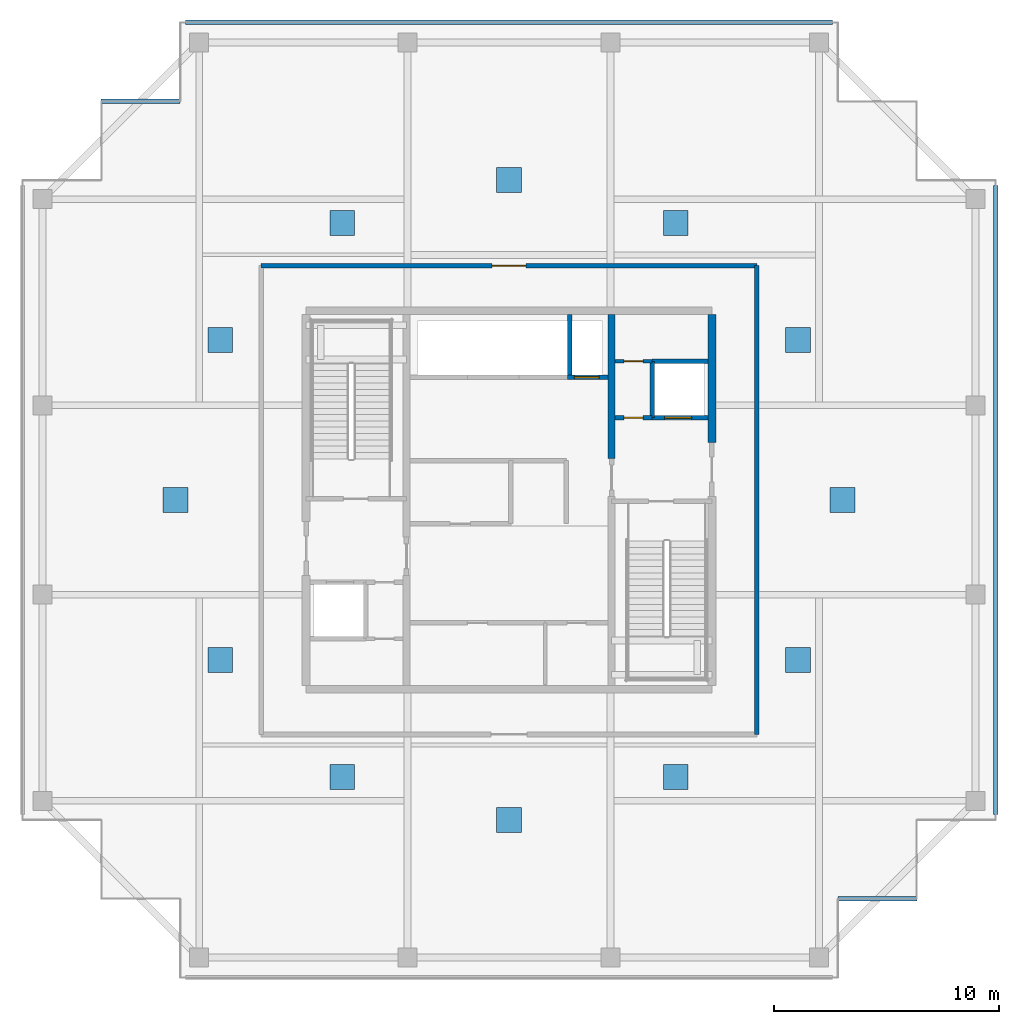
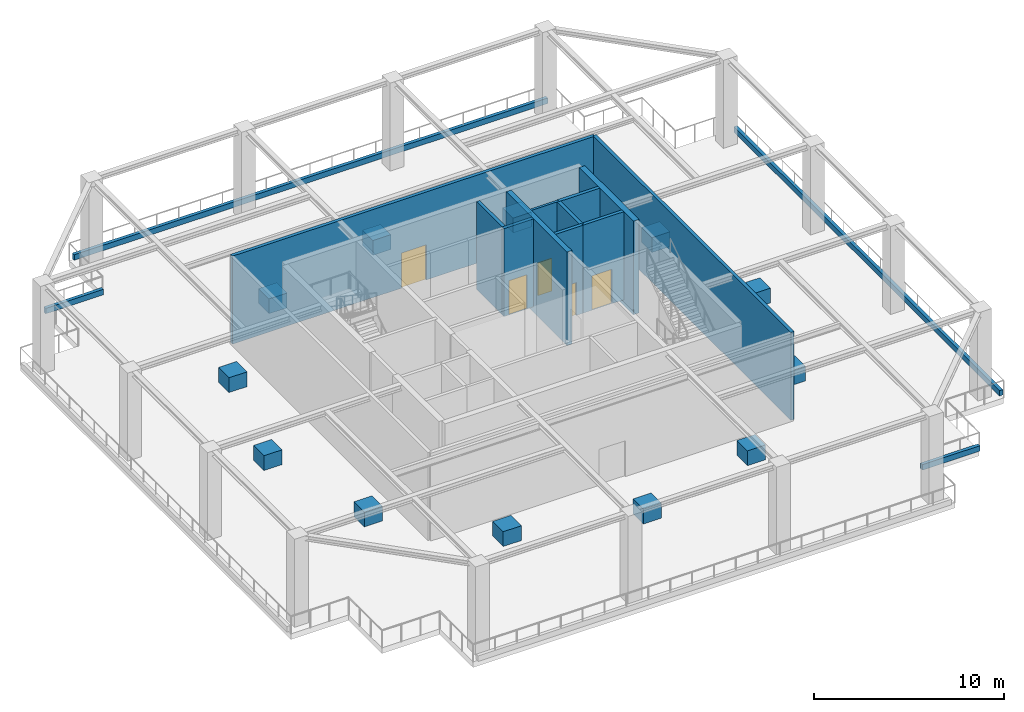
# One storey, part 3 of 10: 15 walls, 12 discrete accessories, 5 doors, 5 openings.
"""IFC4 building model written with IfcOpenShell, lengths in metres."""

from ifc_helpers import new_model, si_unit, direction, frame, frame_2d, origin, origin_2d, place, context, subcontext, project, spatial, rectangle, extrude, source, transform, mapped, material, layer, layer_set, type_object, element, fill, save


model = new_model("IFC4")

# Units and contexts
model_context = context("Model", 3, precision=1e-05, world=origin(), true_north=direction((0.0, 1.0)))
body_context = subcontext(model_context, "Body", "Model", "MODEL_VIEW")
ifc_project = project(units=[si_unit("LENGTHUNIT", "METRE"), si_unit("AREAUNIT", "SQUARE_METRE"), si_unit("VOLUMEUNIT", "CUBIC_METRE"), si_unit("PLANEANGLEUNIT", "RADIAN"), si_unit("MASSUNIT", "GRAM", prefix="KILO")], contexts=[model_context])

# Site, building, storey
site_placement = place(None, origin())
site = spatial("IfcSite", under=ifc_project, at=site_placement, CompositionType="ELEMENT")
building_placement = place(site_placement, origin())
building = spatial("IfcBuilding", under=site, at=building_placement, Name="Serunith Strait Residences", CompositionType="ELEMENT")
storey_placement = place(building_placement, frame((0.0, 0.0, 359.75)))
storey = spatial("IfcBuildingStorey", under=building, at=storey_placement, Name="L88", CompositionType="ELEMENT", Elevation=359.75)

# Walls
ifc_material_1 = material(Name="Concrete C50/60", Category="concrete")
ifc_layer_1 = layer(ifc_material_1, 0.199951171875, Name="Concrete C50/60")
ifc_layer_set_1 = layer_set([ifc_layer_1], Name="Concrete C50/60")
wall_type_1 = type_object("IfcWallType", Name="EW-PARAPET-200", PredefinedType="PARAPET", material=ifc_layer_set_1)
wall_1_placement = place(storey_placement, frame((54.0, 11.25, 0.0), z_axis=(0.0, 0.0, 1.0), x_axis=(0.0, 1.0, 0.0)))
element("IfcWall", 1, at=wall_1_placement, inside=storey, type_object=wall_type_1, Name="Sky-Garden Planter Curb Parapet 2", PredefinedType="PARAPET", context=body_context, shape_type="SweptSolid", body=[
    extrude(rectangle(XDim=27.89990234375, YDim=0.199951171875, at=frame_2d((13.949951171875, 0.0))), origin(), (0.0, 0.0, 1.0), 0.35009765625),
])
wall_2_placement = place(storey_placement, frame((46.75, 46.39990234375, 0.0), z_axis=(0.0, 0.0, 1.0), x_axis=(-1.0, 0.0, 0.0)))
element("IfcWall", 2, at=wall_2_placement, inside=storey, type_object=wall_type_1, Name="Sky-Garden Planter Curb Parapet 3", PredefinedType="PARAPET", context=body_context, shape_type="SweptSolid", body=[
    extrude(rectangle(XDim=28.699951171875, YDim=0.199951171875, at=frame_2d((14.35009765625, 0.0))), origin(), (0.0, 0.0, 1.0), 0.35009765625),
])
for number, where, z_axis, x_axis, name in (
    (3, (47.0, 7.5, 0.0), (0.0, 0.0, 1.0), (1.0, 0.0, 0.0), "Sky-Garden Planter Curb Parapet 5"),
    (4, (17.800048828125, 42.89990234375, 0.0), (0.0, 0.0, 1.0), (-1.0, 0.0, 0.0), "Sky-Garden Planter Curb Parapet 6"),
):
    element("IfcWall", number, at=place(storey_placement, frame(where, z_axis=z_axis, x_axis=x_axis)), inside=storey, type_object=wall_type_1, Name=name, PredefinedType="PARAPET", context=body_context, shape_type="SweptSolid", body=[
        extrude(rectangle(XDim=3.5, YDim=0.199951171875, at=frame_2d((1.75, 0.0))), origin(), (0.0, 0.0, 1.0), 0.35009765625),
    ])

# Wall, opening, door
ifc_material_2 = material(Name="Fire-rated masonry service closet wall", Category="masonry")
ifc_layer_2 = layer(ifc_material_2, 0.14990234375, Name="Fire-rated masonry service closet wall")
ifc_layer_set_2 = layer_set([ifc_layer_2], Name="Fire-rated masonry service closet wall")
wall_type_2 = type_object("IfcWallType", Name="IW-BOH-150", PredefinedType="PARTITIONING", material=ifc_layer_set_2)
wall_3_placement = place(storey_placement, frame((37.10009765625, 31.35009765625, 0.0), z_axis=(0.0, 0.0, 1.0), x_axis=(1.0, 0.0, 0.0)))
wall_3 = element("IfcWall", 5, at=wall_3_placement, inside=storey, type_object=wall_type_2, Name="L88 Partition Wall 012", PredefinedType="PARTITIONING", context=body_context, shape_type="SweptSolid", body=[
    extrude(rectangle(XDim=1.64794921875, YDim=0.14990234375, at=frame_2d((0.823974609375, 0.0))), origin(), (0.0, 0.0, 1.0), 5.639892578125),
])
opening_1_placement = place(wall_3_placement, frame((0.39892578125, 0.0, 0.0)))
opening_1 = element("IfcOpeningElement", 6, at=opening_1_placement, cuts=wall_3, Name="Opening FD-850", PredefinedType="OPENING", context=body_context, shape_type="SweptSolid", body=[
    extrude(rectangle(XDim=0.85009765625, YDim=2.10009765625, at=frame_2d((0.425048828125, 1.050048828125))), frame((0.0, 0.0849609375, 0.0), z_axis=(0.0, -1.0, 0.0), x_axis=(1.0, 0.0, 0.0)), (0.0, 0.0, 1.0), 0.169921875),
])
ifc_material_3 = material(Name="Powder-coated steel service closet door", Category="steel")
door_type_1 = type_object("IfcDoorType", Name="FD-BOH-850", OperationType="NOTDEFINED", PredefinedType="DOOR", material=ifc_material_3)
shared_shape_1 = source(origin(), body_context, "Body", "SweptSolid", [
    extrude(rectangle(XDim=0.85009765625, YDim=2.10009765625, at=frame_2d((0.425048828125, 1.050048828125))), frame((0.0, 0.02490234375, 0.0), z_axis=(0.0, -1.0, 0.0), x_axis=(1.0, 0.0, 0.0)), (0.0, 0.0, 1.0), 0.050048828125),
])
door_1_placement = place(opening_1_placement, origin())
door_1 = element("IfcDoor", 7, at=door_1_placement, inside=storey, type_object=door_type_1, Name="L88 Refuse Store Door", OperationType="SINGLE_SWING_LEFT", OverallHeight=2.10009765625, OverallWidth=0.85009765625, PredefinedType="DOOR", context=body_context, shape_type="MappedRepresentation", body=[
    mapped(shared_shape_1, transform((0.0, 0.0, 0.0), scale=1.0)),
])
fill(opening_1, door_1)

ifc_material_4 = material(Name="Autoclaved aerated concrete blockwork", Category="masonry")
ifc_layer_3 = layer(ifc_material_4, 0.199951171875, Name="Autoclaved aerated concrete blockwork")
ifc_layer_set_3 = layer_set([ifc_layer_3], Name="Autoclaved aerated concrete blockwork")
wall_type_3 = type_object("IfcWallType", Name="IW-SHAFT-200", PredefinedType="STANDARD", material=ifc_layer_set_3)
wall_4_placement = place(storey_placement, frame((38.75, 28.85009765625, 0.0), z_axis=(0.0, 0.0, 1.0), x_axis=(1.0, 0.0, 0.0)))
wall_4 = element("IfcWall", 8, at=wall_4_placement, inside=storey, type_object=wall_type_3, Name="L88 FL-2 South Shaft Wall", PredefinedType="STANDARD", context=body_context, shape_type="SweptSolid", body=[
    extrude(rectangle(XDim=2.47509765625, YDim=0.199951171875, at=frame_2d((1.237548828125, 0.0))), origin(), (0.0, 0.0, 1.0), 5.639892578125),
])
opening_2_placement = place(wall_4_placement, frame((0.550048828125, 0.0, 0.0)))
opening_2 = element("IfcOpeningElement", 9, at=opening_2_placement, cuts=wall_4, Name="Opening LD-FF1200", PredefinedType="OPENING", context=body_context, shape_type="SweptSolid", body=[
    extrude(rectangle(XDim=1.199951171875, YDim=2.199951171875, at=frame_2d((0.60009765625, 1.10009765625))), frame((0.0, 0.10986328125, 0.0), z_axis=(0.0, -1.0, 0.0), x_axis=(1.0, 0.0, 0.0)), (0.0, 0.0, 1.0), 0.219970703125),
])
ifc_material_5 = material(Name="Brushed stainless steel landing door", Category="steel")
door_type_2 = type_object("IfcDoorType", Name="LD-FF-1200", OperationType="DOUBLE_DOOR_SLIDING", PredefinedType="DOOR", material=ifc_material_5)
shared_shape_2 = source(origin(), body_context, "Body", "SweptSolid", [
    extrude(rectangle(XDim=1.199951171875, YDim=2.199951171875, at=frame_2d((0.60009765625, 1.10009765625))), frame((0.0, 0.02490234375, 0.0), z_axis=(0.0, -1.0, 0.0), x_axis=(1.0, 0.0, 0.0)), (0.0, 0.0, 1.0), 0.050048828125),
])
door_2_placement = place(opening_2_placement, origin())
door_2 = element("IfcDoor", 10, at=door_2_placement, inside=storey, type_object=door_type_2, Name="L88 FL-2 Landing Door", OperationType="DOUBLE_DOOR_SLIDING", OverallHeight=2.199951171875, OverallWidth=1.199951171875, PredefinedType="DOOR", context=body_context, shape_type="MappedRepresentation", body=[
    mapped(shared_shape_2, transform((0.0, 0.0, 0.0), scale=1.0)),
])
fill(opening_2, door_2)

wall_5_placement = place(storey_placement, frame((35.0, 30.64990234375, 0.0), z_axis=(0.0, 0.0, 1.0), x_axis=(1.0, 0.0, 0.0)))
wall_5 = element("IfcWall", 11, at=wall_5_placement, inside=storey, type_object=wall_type_3, Name="L88 SL-1 South Shaft Wall", PredefinedType="STANDARD", context=body_context, shape_type="SweptSolid", body=[
    extrude(rectangle(XDim=1.800048828125, YDim=0.199951171875, at=frame_2d((0.89990234375, 0.0))), origin(), (0.0, 0.0, 1.0), 5.639892578125),
])
opening_3_placement = place(wall_5_placement, frame((0.300048828125, 0.0, 0.0)))
opening_3 = element("IfcOpeningElement", 12, at=opening_3_placement, cuts=wall_5, Name="Opening LD-1100", PredefinedType="OPENING", context=body_context, shape_type="SweptSolid", body=[
    extrude(rectangle(XDim=1.10009765625, YDim=2.199951171875, at=frame_2d((0.550048828125, 1.10009765625))), frame((0.0, 0.10986328125, 0.0), z_axis=(0.0, -1.0, 0.0), x_axis=(1.0, 0.0, 0.0)), (0.0, 0.0, 1.0), 0.219970703125),
])
ifc_material_6 = material(Name="Pale-champagne stainless landing door")
door_type_3 = type_object("IfcDoorType", Name="LD-LIFT-1100", OperationType="DOUBLE_DOOR_SLIDING", PredefinedType="DOOR", material=ifc_material_6)
shared_shape_3 = source(origin(), body_context, "Body", "SweptSolid", [
    extrude(rectangle(XDim=1.10009765625, YDim=2.199951171875, at=frame_2d((0.550048828125, 1.10009765625))), frame((0.0, 0.02490234375, 0.0), z_axis=(0.0, -1.0, 0.0), x_axis=(1.0, 0.0, 0.0)), (0.0, 0.0, 1.0), 0.050048828125),
])
door_3_placement = place(opening_3_placement, origin())
door_3 = element("IfcDoor", 13, at=door_3_placement, inside=storey, type_object=door_type_3, Name="L88 SL-1 Landing Door", OperationType="DOUBLE_DOOR_SLIDING", OverallHeight=2.199951171875, OverallWidth=1.10009765625, PredefinedType="DOOR", context=body_context, shape_type="MappedRepresentation", body=[
    mapped(shared_shape_3, transform((0.0, 0.0, 0.0), scale=1.0)),
])
fill(opening_3, door_3)

# Walls
wall_6_placement = place(storey_placement, frame((35.10009765625, 30.75, 0.0), z_axis=(0.0, 0.0, 1.0), x_axis=(0.0, 1.0, 0.0)))
element("IfcWall", 14, at=wall_6_placement, inside=storey, type_object=wall_type_3, Name="L88 SL-1 West Shaft Wall", PredefinedType="STANDARD", context=body_context, shape_type="SweptSolid", body=[
    extrude(rectangle(XDim=2.675048828125, YDim=0.199951171875, at=frame_2d((1.33740234375, 0.0))), origin(), (0.0, 0.0, 1.0), 5.639892578125),
])
wall_7_placement = place(storey_placement, frame((38.75, 28.85009765625, 0.0), z_axis=(0.0, 0.0, 1.0), x_axis=(0.0, 1.0, 0.0)))
element("IfcWall", 15, at=wall_7_placement, inside=storey, type_object=wall_type_3, Name="L88 Partition Wall 004", PredefinedType="STANDARD", context=body_context, shape_type="SweptSolid", body=[
    extrude(rectangle(XDim=2.5, YDim=0.199951171875, at=frame_2d((1.25, 0.0))), origin(), (0.0, 0.0, 1.0), 5.639892578125),
])
wall_8_placement = place(storey_placement, frame((38.75, 31.35009765625, 0.0), z_axis=(0.0, 0.0, 1.0), x_axis=(1.0, 0.0, 0.0)))
element("IfcWall", 16, at=wall_8_placement, inside=storey, type_object=wall_type_3, Name="L88 Partition Wall 005", PredefinedType="STANDARD", context=body_context, shape_type="SweptSolid", body=[
    extrude(rectangle(XDim=2.47509765625, YDim=0.199951171875, at=frame_2d((1.237548828125, 0.0))), origin(), (0.0, 0.0, 1.0), 5.639892578125),
])

# Wall, opening, door
wall_9_placement = place(storey_placement, frame((37.10009765625, 28.85009765625, 0.0), z_axis=(0.0, 0.0, 1.0), x_axis=(1.0, 0.0, 0.0)))
wall_9 = element("IfcWall", 17, at=wall_9_placement, inside=storey, type_object=wall_type_3, Name="L88 Partition Wall 006", PredefinedType="STANDARD", context=body_context, shape_type="SweptSolid", body=[
    extrude(rectangle(XDim=1.64794921875, YDim=0.199951171875, at=frame_2d((0.823974609375, 0.0))), origin(), (0.0, 0.0, 1.0), 5.639892578125),
])
opening_4_placement = place(wall_9_placement, frame((0.39892578125, 0.0, 0.0)))
opening_4 = element("IfcOpeningElement", 18, at=opening_4_placement, cuts=wall_9, Name="Opening FD-850", PredefinedType="OPENING", context=body_context, shape_type="SweptSolid", body=[
    extrude(rectangle(XDim=0.85009765625, YDim=2.10009765625, at=frame_2d((0.425048828125, 1.050048828125))), frame((0.0, 0.10986328125, 0.0), z_axis=(0.0, -1.0, 0.0), x_axis=(1.0, 0.0, 0.0)), (0.0, 0.0, 1.0), 0.219970703125),
])
door_4_placement = place(opening_4_placement, origin())
door_4 = element("IfcDoor", 19, at=door_4_placement, inside=storey, type_object=door_type_1, Name="L88 North-East Core Service Door", OperationType="SINGLE_SWING_LEFT", OverallHeight=2.10009765625, OverallWidth=0.85009765625, PredefinedType="DOOR", context=body_context, shape_type="MappedRepresentation", body=[
    mapped(shared_shape_1, transform((0.0, 0.0, 0.0), scale=1.0)),
])
fill(opening_4, door_4)

wall_10_placement = place(storey_placement, frame((21.39990234375, 35.60009765625, 0.0), z_axis=(0.0, 0.0, 1.0), x_axis=(1.0, 0.0, 0.0)))
wall_10 = element("IfcWall", 20, at=wall_10_placement, inside=storey, type_object=wall_type_3, Name="L88 Partition Wall 020", PredefinedType="STANDARD", context=body_context, shape_type="SweptSolid", body=[
    extrude(rectangle(XDim=22.0, YDim=0.199951171875, at=frame_2d((11.0, 0.0))), origin(), (0.0, 0.0, 1.0), 5.639892578125),
])
opening_5_placement = place(wall_10_placement, frame((10.25, 0.0, 0.0)))
opening_5 = element("IfcOpeningElement", 21, at=opening_5_placement, cuts=wall_10, Name="Opening D-POD1500", PredefinedType="OPENING", context=body_context, shape_type="SweptSolid", body=[
    extrude(rectangle(XDim=1.5, YDim=2.25, at=frame_2d((0.75, 1.125))), frame((0.0, 0.10986328125, 0.0), z_axis=(0.0, -1.0, 0.0), x_axis=(1.0, 0.0, 0.0)), (0.0, 0.0, 1.0), 0.219970703125),
])
ifc_material_7 = material(Name="Pale-champagne aluminium glazed double door", Category="aluminium")
door_type_4 = type_object("IfcDoorType", Name="ID-POD-1500", OperationType="DOUBLE_DOOR_SINGLE_SWING", PredefinedType="DOOR", material=ifc_material_7)
shared_shape_4 = source(origin(), body_context, "Body", "SweptSolid", [
    extrude(rectangle(XDim=1.5, YDim=2.25, at=frame_2d((0.75, 1.125))), frame((0.0, 0.02490234375, 0.0), z_axis=(0.0, -1.0, 0.0), x_axis=(1.0, 0.0, 0.0)), (0.0, 0.0, 1.0), 0.050048828125),
])
door_5_placement = place(opening_5_placement, origin())
door_5 = element("IfcDoor", 22, at=door_5_placement, inside=storey, type_object=door_type_4, Name="Sky-Garden North Terrace Door", OperationType="DOUBLE_DOOR_SINGLE_SWING", OverallHeight=2.25, OverallWidth=1.5, PredefinedType="DOOR", context=body_context, shape_type="MappedRepresentation", body=[
    mapped(shared_shape_4, transform((0.0, 0.0, 0.0), scale=1.0)),
])
fill(opening_5, door_5)

# Walls
wall_11_placement = place(storey_placement, frame((43.39990234375, 14.800048828125, 0.0), z_axis=(0.0, 0.0, 1.0), x_axis=(0.0, 1.0, 0.0)))
element("IfcWall", 23, at=wall_11_placement, inside=storey, type_object=wall_type_3, Name="L88 Partition Wall 022", PredefinedType="STANDARD", context=body_context, shape_type="SweptSolid", body=[
    extrude(rectangle(XDim=20.800048828125, YDim=0.199951171875, at=frame_2d((10.39990234375, 0.0))), origin(), (0.0, 0.0, 1.0), 5.639892578125),
])
ifc_material_8 = material(Name="Concrete C60/75", Category="concrete")
ifc_layer_4 = layer(ifc_material_8, 0.300048828125, Name="Concrete C60/75")
ifc_layer_set_4 = layer_set([ifc_layer_4], Name="Concrete C60/75")
wall_type_4 = type_object("IfcWallType", Name="SW-300-C60", PredefinedType="SHEAR", material=ifc_layer_set_4)
wall_12_placement = place(storey_placement, frame((36.949951171875, 27.050048828125, -0.360107421875), z_axis=(0.0, 0.0, 1.0), x_axis=(0.0, 1.0, 0.0)))
element("IfcWall", 24, at=wall_12_placement, inside=storey, type_object=wall_type_4, Name="L88 Core Internal East Web North Pier", PredefinedType="SHEAR", context=body_context, shape_type="SweptSolid", body=[
    extrude(rectangle(XDim=6.375, YDim=0.300048828125, at=frame_2d((3.1875, 0.0))), origin(), (0.0, 0.0, 1.0), 5.998046875),
])
ifc_layer_5 = layer(ifc_material_8, 0.35009765625, Name="Concrete C60/75")
ifc_layer_set_5 = layer_set([ifc_layer_5], Name="Concrete C60/75")
wall_type_5 = type_object("IfcWallType", Name="SW-350-C60", PredefinedType="SHEAR", material=ifc_layer_set_5)
wall_13_placement = place(storey_placement, frame((41.39990234375, 27.75, -0.360107421875), z_axis=(0.0, 0.0, 1.0), x_axis=(0.0, 1.0, 0.0)))
element("IfcWall", 25, at=wall_13_placement, inside=storey, type_object=wall_type_5, Name="L88 Core East Shear Wall North Pier", PredefinedType="SHEAR", context=body_context, shape_type="SweptSolid", body=[
    extrude(rectangle(XDim=5.675048828125, YDim=0.35009765625, at=frame_2d((2.83740234375, 0.0))), origin(), (0.0, 0.0, 1.0), 5.998046875),
])

# Discrete accessories
ifc_material_9 = material(Name="GFRC Root-Anchored Structural Planter")
discrete_accessory_type = type_object("IfcDiscreteAccessoryType", Name="ACC-PLANTER-TREE", PredefinedType="USERDEFINED", material=ifc_material_9)
shared_shape_5 = source(origin(), body_context, "Body", "SweptSolid", [
    extrude(rectangle(XDim=1.10009765625, YDim=1.10009765625, at=origin_2d()), origin(), (0.0, 0.0, 1.0), 0.949951171875),
])
for number, where, z_axis, x_axis, name in (
    (26, (47.199951171875, 25.199951171875, 0.0), (0.0, 0.0, 1.0), (1.0, 0.0, 0.0), "Sky-Garden Canopy Tree Planter 01"),
    (27, (45.21728515625, 32.300048828125, 0.0), (0.0, 0.0, 1.0), (1.0, 0.0, 0.0), "Sky-Garden Canopy Tree Planter 02"),
    (28, (39.800048828125, 37.49755859375, 0.0), (0.0, 0.0, 1.0), (1.0, 0.0, 0.0), "Sky-Garden Canopy Tree Planter 03"),
    (29, (32.39990234375, 39.39990234375, 0.0), (0.0, 0.0, 1.0), (1.0, 0.0, 0.0), "Sky-Garden Canopy Tree Planter 04"),
    (30, (25.0, 37.49755859375, 0.0), (0.0, 0.0, 1.0), (1.0, 0.0, 0.0), "Sky-Garden Canopy Tree Planter 05"),
    (31, (19.582763671875, 32.300048828125, 0.0), (0.0, 0.0, 1.0), (1.0, 0.0, 0.0), "Sky-Garden Canopy Tree Planter 06"),
    (32, (17.60009765625, 25.199951171875, 0.0), (0.0, 0.0, 1.0), (1.0, 0.0, 0.0), "Sky-Garden Canopy Tree Planter 07"),
    (33, (19.582763671875, 18.10009765625, 0.0), (0.0, 0.0, 1.0), (1.0, 0.0, 0.0), "Sky-Garden Canopy Tree Planter 08"),
    (34, (25.0, 12.90234375, 0.0), (0.0, 0.0, 1.0), (1.0, 0.0, 0.0), "Sky-Garden Canopy Tree Planter 09"),
    (35, (32.39990234375, 11.0, 0.0), (0.0, 0.0, 1.0), (1.0, 0.0, 0.0), "Sky-Garden Canopy Tree Planter 10"),
    (36, (39.800048828125, 12.90234375, 0.0), (0.0, 0.0, 1.0), (1.0, 0.0, 0.0), "Sky-Garden Canopy Tree Planter 11"),
    (37, (45.21728515625, 18.10009765625, 0.0), (0.0, 0.0, 1.0), (1.0, 0.0, 0.0), "Sky-Garden Canopy Tree Planter 12"),
):
    element("IfcDiscreteAccessory", number, at=place(storey_placement, frame(where, z_axis=z_axis, x_axis=x_axis)), inside=storey, type_object=discrete_accessory_type, Name=name, ObjectType="PLANTER", PredefinedType="USERDEFINED", context=body_context, shape_type="MappedRepresentation", body=[
        mapped(shared_shape_5, transform((0.0, 0.0, 0.0), scale=1.0)),
    ])

save(model, "model.ifc")
